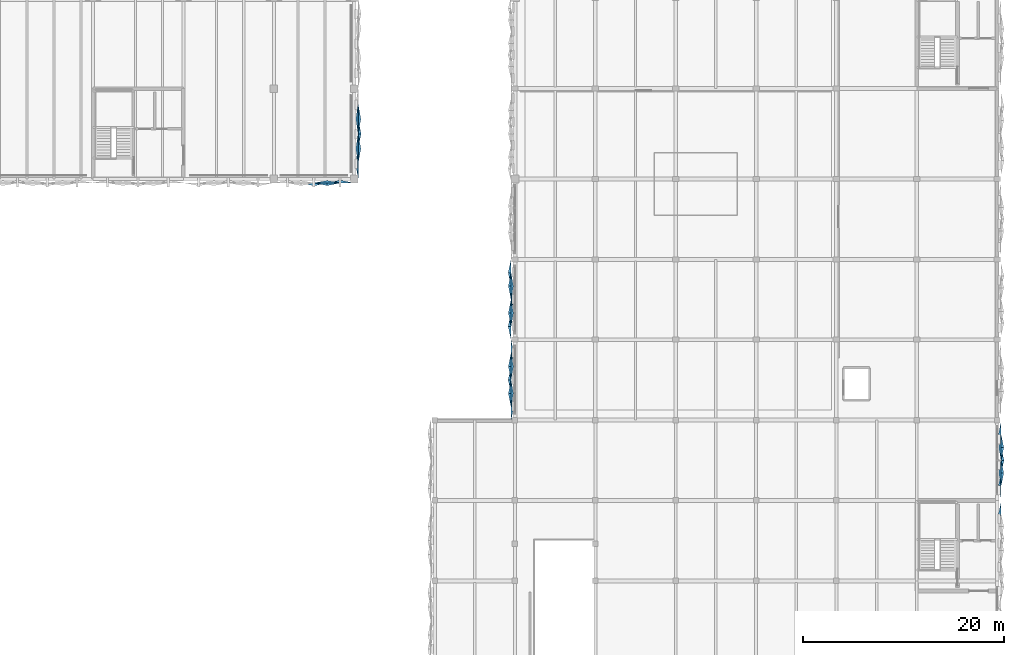
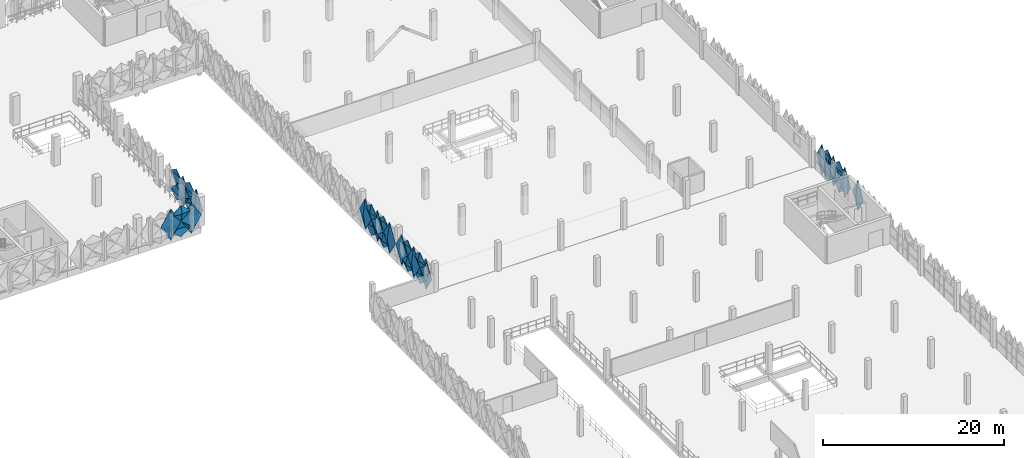
# One storey, part 62 of 83: 32 plates.
"""IFC4 building model written with IfcOpenShell, lengths in metres."""

import ifcopenshell
import ifcopenshell.guid

model = None  # the IFC model being written
_history = None  # IfcOwnerHistory: only IFC2X3 demands one
_inside = {}  # id of a spatial element -> (the spatial element, [elements in it])
_under = {}  # id of a project, library or spatial element -> (it, [spatial elements below it])
_declared = {}  # id of a project -> (the project, [libraries it declares])
_typed = {}  # id of a type object -> (the type object, [elements of that type])
_made_of = {}  # id of a material, layer set ... -> (it, [elements and type objects made of it])


def new_model(schema):
    """Start an empty IFC model of exactly this schema.

    Asked for "IFC4X3", IfcOpenShell would pick the latest addendum, in which some entities
    have other attributes; the version numbers below select the first issue.
    IFC2X3 requires an IfcOwnerHistory on every rooted entity: one is made here for all.
    """
    global model, _history
    if schema == "IFC4X3":
        model = ifcopenshell.file(schema_version=(4, 3, 0, 0))
    else:
        model = ifcopenshell.file(schema=schema)
    _inside.clear()
    _under.clear()
    _declared.clear()
    _typed.clear()
    _made_of.clear()
    _history = None
    if model.schema == "IFC2X3":
        org = make("IfcOrganization", Name="unknown")
        user = make(
            "IfcPersonAndOrganization",
            ThePerson=make("IfcPerson", FamilyName="unknown"),
            TheOrganization=org,
        )
        app = make(
            "IfcApplication",
            ApplicationDeveloper=org,
            Version="unknown",
            ApplicationFullName="unknown",
            ApplicationIdentifier="unknown",
        )
        _history = make(
            "IfcOwnerHistory",
            OwningUser=user,
            OwningApplication=app,
            ChangeAction="ADDED",
            CreationDate=0,
        )
    return model


def make(cls, **values):
    """One entity of the class cls with the attributes given. An attribute that is None is left unset."""
    return model.create_entity(
        cls, **{name: value for name, value in values.items() if value is not None}
    )


def rooted(cls, **values):
    """An entity with a GlobalId (a new one), such as an element, a storey or a relation."""
    return make(cls, GlobalId=ifcopenshell.guid.new(), OwnerHistory=_history, **values)


def si_unit(unit_type, name, prefix=None):
    """IfcSIUnit, for example si_unit("LENGTHUNIT", "METRE", prefix="MILLI")."""
    return make("IfcSIUnit", UnitType=unit_type, Prefix=prefix, Name=name)


def derived_unit(unit_type, elements):
    """IfcDerivedUnit: a product of units, each with its exponent."""
    return make(
        "IfcDerivedUnit",
        Elements=[
            make("IfcDerivedUnitElement", Unit=unit, Exponent=power)
            for unit, power in elements
        ],
        UnitType=unit_type,
    )


def assignment(units):
    """IfcUnitAssignment: the units of a project."""
    return None if units is None else make("IfcUnitAssignment", Units=units)


def point(xyz):
    """IfcCartesianPoint."""
    return None if xyz is None else make("IfcCartesianPoint", Coordinates=xyz)


def direction(xyz):
    """IfcDirection."""
    return None if xyz is None else make("IfcDirection", DirectionRatios=xyz)


def frame(location, z_axis=None, x_axis=None):
    """IfcAxis2Placement3D, a coordinate frame: its origin and axes. An axis left out is left unset."""
    return make(
        "IfcAxis2Placement3D",
        Location=point(location),
        Axis=direction(z_axis),
        RefDirection=direction(x_axis),
    )


def origin():
    """The frame at (0, 0, 0) with its axes left unset."""
    return frame((0.0, 0.0, 0.0))


def place(relative_to, where):
    """IfcLocalPlacement: puts the frame where relative to a parent placement (None: the world)."""
    return make(
        "IfcLocalPlacement", PlacementRelTo=relative_to, RelativePlacement=where
    )


def context(
    kind, dimensions, precision=None, world=None, true_north=None, identifier=None
):
    """IfcGeometricRepresentationContext, for example the 3D "Model" context."""
    return make(
        "IfcGeometricRepresentationContext",
        ContextIdentifier=identifier,
        ContextType=kind,
        CoordinateSpaceDimension=dimensions,
        Precision=precision,
        WorldCoordinateSystem=world,
        TrueNorth=true_north,
    )


def subcontext(parent, identifier, kind, view, scale=None):
    """IfcGeometricRepresentationSubContext, for example "Body" below "Model"."""
    return make(
        "IfcGeometricRepresentationSubContext",
        ContextIdentifier=identifier,
        ContextType=kind,
        ParentContext=parent,
        TargetScale=scale,
        TargetView=view,
    )


def project(units=None, contexts=None):
    """IfcProject with its units and contexts."""
    return rooted(
        "IfcProject",
        Name="project",
        RepresentationContexts=contexts,
        UnitsInContext=assignment(units),
    )


def spatial(cls, under=None, at=None, **own):
    """A site, building, storey or space (cls), placed at a placement, below another one or the project."""
    s = rooted(cls, ObjectPlacement=at, **own)
    if under is not None:
        _under.setdefault(under.id(), (under, []))[1].append(s)
    return s


def point_list(points):
    """IfcCartesianPointList2D or 3D."""
    cls = (
        "IfcCartesianPointList2D" if len(points[0]) == 2 else "IfcCartesianPointList3D"
    )
    return make(cls, CoordList=points)


def polygons(points, faces, closed=None, point_numbers=None):
    """IfcPolygonalFaceSet: a face is its outer loop, then its inner loops; points numbered from 1."""
    made = []
    for loops in faces:
        if len(loops) == 1:
            made.append(make("IfcIndexedPolygonalFace", CoordIndex=loops[0]))
        else:
            made.append(
                make(
                    "IfcIndexedPolygonalFaceWithVoids",
                    CoordIndex=loops[0],
                    InnerCoordIndices=loops[1:],
                )
            )
    return make(
        "IfcPolygonalFaceSet",
        Coordinates=point_list(points),
        Closed=closed,
        Faces=made,
        PnIndex=point_numbers,
    )


def shape(context_of_items, identifier, shape_type, items):
    """IfcShapeRepresentation: the items that make up one representation, for example the "Body"."""
    return make(
        "IfcShapeRepresentation",
        ContextOfItems=context_of_items,
        RepresentationIdentifier=identifier,
        RepresentationType=shape_type,
        Items=items,
    )


def material(Name=None, Category=None):
    """IfcMaterial."""
    return make("IfcMaterial", Name=Name, Category=Category)


def layer(
    of_material, thickness, ventilated=None, Name=None, Category=None, Priority=None
):
    """IfcMaterialLayer: one layer of a wall or slab, of a material (None: an air gap)."""
    return make(
        "IfcMaterialLayer",
        Material=of_material,
        LayerThickness=thickness,
        IsVentilated=ventilated,
        Name=Name,
        Category=Category,
        Priority=Priority,
    )


def layer_set(layers, Name=None):
    """IfcMaterialLayerSet."""
    return make("IfcMaterialLayerSet", MaterialLayers=layers, LayerSetName=Name)


def made_of(thing, what):
    """Note that an element or type object is made of a material, layer set ...; save() writes the relation."""
    if what is not None:
        _made_of.setdefault(what.id(), (what, []))[1].append(thing)
    return thing


def type_object(cls, material=None, **own):
    """A type object (cls), such as IfcWallType, which elements share."""
    return made_of(rooted(cls, **own), material)


def element(
    cls,
    number,
    at=None,
    inside=None,
    cuts=None,
    type_object=None,
    material=None,
    context=None,
    identifier="Body",
    shape_type=None,
    held_by="IfcProductDefinitionShape",
    body=None,
    shapes=None,
    **own,
):
    """One element of the class cls, such as IfcWall. Its Tag is "e" and its number.

    at: its placement. inside: the storey or other place that contains it. cuts: it is an
    opening in that element (IfcRelVoidsElement). A single representation is given by context,
    identifier, shape_type and body (its items); several are given by shapes. held_by: the class
    of the entity that holds the representations. save() writes the other relations.
    """
    e = rooted(cls, Tag="e%d" % number, ObjectPlacement=at, **own)
    if body is not None:
        shapes = [shape(context, identifier, shape_type, body)]
    if shapes is not None:
        e.Representation = make(held_by, Representations=shapes)
    if inside is not None:
        _inside.setdefault(inside.id(), (inside, []))[1].append(e)
    if cuts is not None:
        rooted(
            "IfcRelVoidsElement", RelatingBuildingElement=cuts, RelatedOpeningElement=e
        )
    if type_object is not None:
        _typed.setdefault(type_object.id(), (type_object, []))[1].append(e)
    return made_of(e, material)


def aggregate(whole, parts):
    """IfcRelAggregates: a whole, such as a stair, and the parts it consists of."""
    return rooted("IfcRelAggregates", RelatingObject=whole, RelatedObjects=parts)


def save(model, path):
    """Write the relations noted so far, then the file.

    IfcRelAggregates (storeys below a building ...), IfcRelContainedInSpatialStructure (elements
    in a storey), IfcRelDefinesByType, IfcRelAssociatesMaterial and IfcRelDeclares: one each for
    every whole, place, type object, material and project.
    """
    for whole, parts in _under.values():
        aggregate(whole, parts)
    for where, things in _inside.values():
        rooted(
            "IfcRelContainedInSpatialStructure",
            RelatedElements=things,
            RelatingStructure=where,
        )
    for kind, things in _typed.values():
        rooted("IfcRelDefinesByType", RelatedObjects=things, RelatingType=kind)
    for what, things in _made_of.values():
        rooted("IfcRelAssociatesMaterial", RelatedObjects=things, RelatingMaterial=what)
    for by, libraries in _declared.values():
        rooted("IfcRelDeclares", RelatingContext=by, RelatedDefinitions=libraries)
    model.write(path)


model = new_model("IFC4")

# Units and contexts
model_context = context("Model", 3, precision=1e-05, world=origin(), true_north=direction((0.0, 1.0)))
body_context = subcontext(model_context, "Body", "Model", "MODEL_VIEW")
ifc_project = project(units=[si_unit("LENGTHUNIT", "METRE"), si_unit("AREAUNIT", "SQUARE_METRE"), si_unit("VOLUMEUNIT", "CUBIC_METRE"), si_unit("PLANEANGLEUNIT", "RADIAN"), si_unit("MASSUNIT", "GRAM", prefix="KILO"), si_unit("THERMODYNAMICTEMPERATUREUNIT", "KELVIN"), derived_unit("THERMALTRANSMITTANCEUNIT", [(si_unit("POWERUNIT", "WATT"), 1), (si_unit("AREAUNIT", "SQUARE_METRE"), -1), (si_unit("THERMODYNAMICTEMPERATUREUNIT", "KELVIN"), -1)])], contexts=[model_context])

# Site, building, storey
site_placement = place(None, origin())
site = spatial("IfcSite", under=ifc_project, at=site_placement, CompositionType="ELEMENT")
building_placement = place(site_placement, origin())
building = spatial("IfcBuilding", under=site, at=building_placement, Name="Haiyu Intermodal Mobility Hub", CompositionType="ELEMENT")
storey_placement = place(building_placement, frame((0.0, 0.0, 13.39990234375)))
storey = spatial("IfcBuildingStorey", under=building, at=storey_placement, Name="L03", CompositionType="ELEMENT", Elevation=13.39990234375)

# Plates
ifc_material = material(Name="Anodised aluminium 6063-T6", Category="aluminium")
ifc_layer_1 = layer(ifc_material, 0.01806640625)
ifc_layer_set_1 = layer_set([ifc_layer_1], Name="Anodised aluminium 6063-T6")
plate_type_1 = type_object("IfcPlateType", Name="PLT-FC01", PredefinedType="USERDEFINED", material=ifc_layer_set_1)
plate_1_placement = place(storey_placement, origin())
element("IfcPlate", 1, at=plate_1_placement, inside=storey, type_object=plate_type_1, Name="PLT-PYR-0687", ObjectType="FACADE CASSETTE", PredefinedType="USERDEFINED", context=body_context, shape_type="Tessellation", body=[
    polygons([(146.39990234375, 108.5, -0.510009765625), (146.39990234375, 109.952880859375, 1.60009765625), (146.39990234375, 108.5, 3.710205078125), (146.39990234375, 107.047119140625, 1.60009765625), (146.679931640625, 108.5, 1.60009765625), (146.3779296875, 108.5, -0.510009765625), (146.3779296875, 109.952880859375, 1.60009765625), (146.3779296875, 108.5, 3.710205078125), (146.3779296875, 107.047119140625, 1.60009765625), (146.657958984375, 108.5, 1.60009765625)], [[[1, 2, 5]], [[2, 3, 5]], [[3, 4, 5]], [[4, 1, 5]], [[7, 6, 10]], [[8, 7, 10]], [[9, 8, 10]], [[6, 9, 10]], [[1, 6, 7, 2]], [[2, 7, 8, 3]], [[3, 8, 9, 4]], [[4, 9, 6, 1]]], closed=True),
])
plate_2_placement = place(storey_placement, origin())
element("IfcPlate", 2, at=plate_2_placement, inside=storey, type_object=plate_type_1, Name="PLT-PYR-0689", ObjectType="FACADE CASSETTE", PredefinedType="USERDEFINED", context=body_context, shape_type="Tessellation", body=[
    polygons([(146.39990234375, 109.972900390625, 1.6201171875), (146.39990234375, 111.427001953125, 2.670166015625), (146.39990234375, 109.972900390625, 3.72021484375), (146.39990234375, 108.52001953125, 2.670166015625), (146.659912109375, 109.972900390625, 2.670166015625), (146.3779296875, 109.972900390625, 1.6201171875), (146.3779296875, 111.427001953125, 2.670166015625), (146.3779296875, 109.972900390625, 3.72021484375), (146.3779296875, 108.52001953125, 2.670166015625), (146.637939453125, 109.972900390625, 2.670166015625)], [[[1, 2, 5]], [[2, 3, 5]], [[3, 4, 5]], [[4, 1, 5]], [[7, 6, 10]], [[8, 7, 10]], [[9, 8, 10]], [[6, 9, 10]], [[1, 6, 7, 2]], [[2, 7, 8, 3]], [[3, 8, 9, 4]], [[4, 9, 6, 1]]], closed=True),
])
plate_3_placement = place(storey_placement, origin())
element("IfcPlate", 3, at=plate_3_placement, inside=storey, type_object=plate_type_1, Name="PLT-PYR-0997", ObjectType="FACADE CASSETTE", PredefinedType="USERDEFINED", context=body_context, shape_type="Tessellation", body=[
    polygons([(142.0, 103.60009765625, -0.510009765625), (143.287109375, 103.60009765625, 1.60009765625), (142.0, 103.60009765625, 3.710205078125), (140.712890625, 103.60009765625, 1.60009765625), (142.0, 103.320068359375, 1.60009765625), (142.0, 103.6220703125, -0.510009765625), (143.287109375, 103.6220703125, 1.60009765625), (142.0, 103.6220703125, 3.710205078125), (140.712890625, 103.6220703125, 1.60009765625), (142.0, 103.342041015625, 1.60009765625)], [[[1, 2, 5]], [[2, 3, 5]], [[3, 4, 5]], [[4, 1, 5]], [[7, 6, 10]], [[8, 7, 10]], [[9, 8, 10]], [[6, 9, 10]], [[1, 6, 7, 2]], [[2, 7, 8, 3]], [[3, 8, 9, 4]], [[4, 9, 6, 1]]], closed=True),
])
plate_4_placement = place(storey_placement, origin())
element("IfcPlate", 4, at=plate_4_placement, inside=storey, type_object=plate_type_1, Name="PLT-PYR-0999", ObjectType="FACADE CASSETTE", PredefinedType="USERDEFINED", context=body_context, shape_type="Tessellation", body=[
    polygons([(143.306884765625, 103.60009765625, 1.6201171875), (144.593017578125, 103.60009765625, 2.670166015625), (143.306884765625, 103.60009765625, 3.72021484375), (142.02001953125, 103.60009765625, 2.670166015625), (143.306884765625, 103.340087890625, 2.670166015625), (143.306884765625, 103.6220703125, 1.6201171875), (144.593017578125, 103.6220703125, 2.670166015625), (143.306884765625, 103.6220703125, 3.72021484375), (142.02001953125, 103.6220703125, 2.670166015625), (143.306884765625, 103.362060546875, 2.670166015625)], [[[1, 2, 5]], [[2, 3, 5]], [[3, 4, 5]], [[4, 1, 5]], [[7, 6, 10]], [[8, 7, 10]], [[9, 8, 10]], [[6, 9, 10]], [[1, 6, 7, 2]], [[2, 7, 8, 3]], [[3, 8, 9, 4]], [[4, 9, 6, 1]]], closed=True),
])
plate_5_placement = place(storey_placement, origin())
element("IfcPlate", 5, at=plate_5_placement, inside=storey, type_object=plate_type_1, Name="PLT-PYR-1820", ObjectType="FACADE CASSETTE", PredefinedType="USERDEFINED", context=body_context, shape_type="Tessellation", body=[
    polygons([(210.39990234375, 76.0, -0.510009765625), (210.39990234375, 77.2470703125, 1.60009765625), (210.39990234375, 76.0, 3.710205078125), (210.39990234375, 74.7529296875, 1.60009765625), (210.679931640625, 76.0, 1.60009765625), (210.3779296875, 76.0, -0.510009765625), (210.3779296875, 77.2470703125, 1.60009765625), (210.3779296875, 76.0, 3.710205078125), (210.3779296875, 74.7529296875, 1.60009765625), (210.657958984375, 76.0, 1.60009765625)], [[[1, 2, 5]], [[2, 3, 5]], [[3, 4, 5]], [[4, 1, 5]], [[7, 6, 10]], [[8, 7, 10]], [[9, 8, 10]], [[6, 9, 10]], [[1, 6, 7, 2]], [[2, 7, 8, 3]], [[3, 8, 9, 4]], [[4, 9, 6, 1]]], closed=True),
])
plate_6_placement = place(storey_placement, origin())
element("IfcPlate", 6, at=plate_6_placement, inside=storey, type_object=plate_type_1, Name="PLT-PYR-1822", ObjectType="FACADE CASSETTE", PredefinedType="USERDEFINED", context=body_context, shape_type="Tessellation", body=[
    polygons([(210.39990234375, 77.26708984375, 1.6201171875), (210.39990234375, 78.512939453125, 2.670166015625), (210.39990234375, 77.26708984375, 3.72021484375), (210.39990234375, 76.02001953125, 2.670166015625), (210.659912109375, 77.26708984375, 2.670166015625), (210.3779296875, 77.26708984375, 1.6201171875), (210.3779296875, 78.512939453125, 2.670166015625), (210.3779296875, 77.26708984375, 3.72021484375), (210.3779296875, 76.02001953125, 2.670166015625), (210.637939453125, 77.26708984375, 2.670166015625)], [[[1, 2, 5]], [[2, 3, 5]], [[3, 4, 5]], [[4, 1, 5]], [[7, 6, 10]], [[8, 7, 10]], [[9, 8, 10]], [[6, 9, 10]], [[1, 6, 7, 2]], [[2, 7, 8, 3]], [[3, 8, 9, 4]], [[4, 9, 6, 1]]], closed=True),
])
plate_7_placement = place(storey_placement, origin())
element("IfcPlate", 7, at=plate_7_placement, inside=storey, type_object=plate_type_1, Name="PLT-PYR-2130", ObjectType="FACADE CASSETTE", PredefinedType="USERDEFINED", context=body_context, shape_type="Tessellation", body=[
    polygons([(161.60009765625, 84.0, -0.510009765625), (161.60009765625, 82.68701171875, 1.60009765625), (161.60009765625, 84.0, 3.710205078125), (161.60009765625, 85.31298828125, 1.60009765625), (161.320068359375, 84.0, 1.60009765625), (161.6220703125, 84.0, -0.510009765625), (161.6220703125, 82.68701171875, 1.60009765625), (161.6220703125, 84.0, 3.710205078125), (161.6220703125, 85.31298828125, 1.60009765625), (161.342041015625, 84.0, 1.60009765625)], [[[1, 2, 5]], [[2, 3, 5]], [[3, 4, 5]], [[4, 1, 5]], [[7, 6, 10]], [[8, 7, 10]], [[9, 8, 10]], [[6, 9, 10]], [[1, 6, 7, 2]], [[2, 7, 8, 3]], [[3, 8, 9, 4]], [[4, 9, 6, 1]]], closed=True),
])
plate_8_placement = place(storey_placement, origin())
element("IfcPlate", 8, at=plate_8_placement, inside=storey, type_object=plate_type_1, Name="PLT-PYR-2132", ObjectType="FACADE CASSETTE", PredefinedType="USERDEFINED", context=body_context, shape_type="Tessellation", body=[
    polygons([(161.60009765625, 82.6669921875, 1.6201171875), (161.60009765625, 81.35302734375, 2.670166015625), (161.60009765625, 82.6669921875, 3.72021484375), (161.60009765625, 83.97998046875, 2.670166015625), (161.340087890625, 82.6669921875, 2.670166015625), (161.6220703125, 82.6669921875, 1.6201171875), (161.6220703125, 81.35302734375, 2.670166015625), (161.6220703125, 82.6669921875, 3.72021484375), (161.6220703125, 83.97998046875, 2.670166015625), (161.362060546875, 82.6669921875, 2.670166015625)], [[[1, 2, 5]], [[2, 3, 5]], [[3, 4, 5]], [[4, 1, 5]], [[7, 6, 10]], [[8, 7, 10]], [[9, 8, 10]], [[6, 9, 10]], [[1, 6, 7, 2]], [[2, 7, 8, 3]], [[3, 8, 9, 4]], [[4, 9, 6, 1]]], closed=True),
])
plate_9_placement = place(storey_placement, origin())
element("IfcPlate", 9, at=plate_9_placement, inside=storey, type_object=plate_type_1, Name="PLT-PYR-2136", ObjectType="FACADE CASSETTE", PredefinedType="USERDEFINED", context=body_context, shape_type="Tessellation", body=[
    polygons([(161.60009765625, 93.3330078125, 1.6201171875), (161.60009765625, 92.02001953125, 2.670166015625), (161.60009765625, 93.3330078125, 3.72021484375), (161.60009765625, 94.64697265625, 2.670166015625), (161.340087890625, 93.3330078125, 2.670166015625), (161.6220703125, 93.3330078125, 1.6201171875), (161.6220703125, 92.02001953125, 2.670166015625), (161.6220703125, 93.3330078125, 3.72021484375), (161.6220703125, 94.64697265625, 2.670166015625), (161.362060546875, 93.3330078125, 2.670166015625)], [[[1, 2, 5]], [[2, 3, 5]], [[3, 4, 5]], [[4, 1, 5]], [[7, 6, 10]], [[8, 7, 10]], [[9, 8, 10]], [[6, 9, 10]], [[1, 6, 7, 2]], [[2, 7, 8, 3]], [[3, 8, 9, 4]], [[4, 9, 6, 1]]], closed=True),
])
ifc_layer_2 = layer(ifc_material, 0.02001953125)
ifc_layer_set_2 = layer_set([ifc_layer_2], Name="Anodised aluminium 6063-T6")
plate_type_2 = type_object("IfcPlateType", Name="PLT-FC02", PredefinedType="USERDEFINED", material=ifc_layer_set_2)
plate_10_placement = place(storey_placement, origin())
element("IfcPlate", 10, at=plate_10_placement, inside=storey, type_object=plate_type_2, Name="PLT-PYR-0686", ObjectType="FACADE CASSETTE", PredefinedType="USERDEFINED", context=body_context, shape_type="Tessellation", body=[
    polygons([(146.39990234375, 107.027099609375, 1.6201171875), (146.39990234375, 108.47998046875, 2.670166015625), (146.39990234375, 107.027099609375, 3.72021484375), (146.39990234375, 105.572998046875, 2.670166015625), (146.179931640625, 107.027099609375, 2.670166015625), (146.3779296875, 107.027099609375, 1.6201171875), (146.3779296875, 108.47998046875, 2.670166015625), (146.3779296875, 107.027099609375, 3.72021484375), (146.3779296875, 105.572998046875, 2.670166015625), (146.157958984375, 107.027099609375, 2.670166015625)], [[[1, 2, 5]], [[2, 3, 5]], [[3, 4, 5]], [[4, 1, 5]], [[7, 6, 10]], [[8, 7, 10]], [[9, 8, 10]], [[6, 9, 10]], [[1, 6, 7, 2]], [[2, 7, 8, 3]], [[3, 8, 9, 4]], [[4, 9, 6, 1]]], closed=True),
])
plate_11_placement = place(storey_placement, origin())
element("IfcPlate", 11, at=plate_11_placement, inside=storey, type_object=plate_type_2, Name="PLT-PYR-1819", ObjectType="FACADE CASSETTE", PredefinedType="USERDEFINED", context=body_context, shape_type="Tessellation", body=[
    polygons([(210.39990234375, 74.73291015625, 1.6201171875), (210.39990234375, 75.97998046875, 2.670166015625), (210.39990234375, 74.73291015625, 3.72021484375), (210.39990234375, 73.487060546875, 2.670166015625), (210.179931640625, 74.73291015625, 2.670166015625), (210.3779296875, 74.73291015625, 1.6201171875), (210.3779296875, 75.97998046875, 2.670166015625), (210.3779296875, 74.73291015625, 3.72021484375), (210.3779296875, 73.487060546875, 2.670166015625), (210.157958984375, 74.73291015625, 2.670166015625)], [[[1, 2, 5]], [[2, 3, 5]], [[3, 4, 5]], [[4, 1, 5]], [[7, 6, 10]], [[8, 7, 10]], [[9, 8, 10]], [[6, 9, 10]], [[1, 6, 7, 2]], [[2, 7, 8, 3]], [[3, 8, 9, 4]], [[4, 9, 6, 1]]], closed=True),
])
plate_12_placement = place(storey_placement, origin())
element("IfcPlate", 12, at=plate_12_placement, inside=storey, type_object=plate_type_2, Name="PLT-PYR-2129", ObjectType="FACADE CASSETTE", PredefinedType="USERDEFINED", context=body_context, shape_type="Tessellation", body=[
    polygons([(161.60009765625, 85.3330078125, 1.6201171875), (161.60009765625, 84.02001953125, 2.670166015625), (161.60009765625, 85.3330078125, 3.72021484375), (161.60009765625, 86.64697265625, 2.670166015625), (161.820068359375, 85.3330078125, 2.670166015625), (161.6220703125, 85.3330078125, 1.6201171875), (161.6220703125, 84.02001953125, 2.670166015625), (161.6220703125, 85.3330078125, 3.72021484375), (161.6220703125, 86.64697265625, 2.670166015625), (161.842041015625, 85.3330078125, 2.670166015625)], [[[1, 2, 5]], [[2, 3, 5]], [[3, 4, 5]], [[4, 1, 5]], [[7, 6, 10]], [[8, 7, 10]], [[9, 8, 10]], [[6, 9, 10]], [[1, 6, 7, 2]], [[2, 7, 8, 3]], [[3, 8, 9, 4]], [[4, 9, 6, 1]]], closed=True),
])
plate_13_placement = place(storey_placement, origin())
element("IfcPlate", 13, at=plate_13_placement, inside=storey, type_object=plate_type_2, Name="PLT-PYR-2137", ObjectType="FACADE CASSETTE", PredefinedType="USERDEFINED", context=body_context, shape_type="Tessellation", body=[
    polygons([(161.60009765625, 92.0, -0.510009765625), (161.60009765625, 90.68701171875, 1.60009765625), (161.60009765625, 92.0, 3.710205078125), (161.60009765625, 93.31298828125, 1.60009765625), (161.860107421875, 92.0, 1.60009765625), (161.6220703125, 92.0, -0.510009765625), (161.6220703125, 90.68701171875, 1.60009765625), (161.6220703125, 92.0, 3.710205078125), (161.6220703125, 93.31298828125, 1.60009765625), (161.882080078125, 92.0, 1.60009765625)], [[[1, 2, 5]], [[2, 3, 5]], [[3, 4, 5]], [[4, 1, 5]], [[7, 6, 10]], [[8, 7, 10]], [[9, 8, 10]], [[6, 9, 10]], [[1, 6, 7, 2]], [[2, 7, 8, 3]], [[3, 8, 9, 4]], [[4, 9, 6, 1]]], closed=True),
])
plate_14_placement = place(storey_placement, origin())
element("IfcPlate", 14, at=plate_14_placement, inside=storey, type_object=plate_type_2, Name="PLT-PYR-2139", ObjectType="FACADE CASSETTE", PredefinedType="USERDEFINED", context=body_context, shape_type="Tessellation", body=[
    polygons([(161.60009765625, 90.6669921875, 1.6201171875), (161.60009765625, 89.35302734375, 2.670166015625), (161.60009765625, 90.6669921875, 3.72021484375), (161.60009765625, 91.97998046875, 2.670166015625), (161.820068359375, 90.6669921875, 2.670166015625), (161.6220703125, 90.6669921875, 1.6201171875), (161.6220703125, 89.35302734375, 2.670166015625), (161.6220703125, 90.6669921875, 3.72021484375), (161.6220703125, 91.97998046875, 2.670166015625), (161.842041015625, 90.6669921875, 2.670166015625)], [[[1, 2, 5]], [[2, 3, 5]], [[3, 4, 5]], [[4, 1, 5]], [[7, 6, 10]], [[8, 7, 10]], [[9, 8, 10]], [[6, 9, 10]], [[1, 6, 7, 2]], [[2, 7, 8, 3]], [[3, 8, 9, 4]], [[4, 9, 6, 1]]], closed=True),
])
ifc_layer_3 = layer(ifc_material, 0.01806640625)
ifc_layer_set_3 = layer_set([ifc_layer_3], Name="Anodised aluminium 6063-T6")
plate_type_3 = type_object("IfcPlateType", Name="PLT-FC03", PredefinedType="USERDEFINED", material=ifc_layer_set_3)
plate_15_placement = place(storey_placement, origin())
element("IfcPlate", 15, at=plate_15_placement, inside=storey, type_object=plate_type_3, Name="PLT-PYR-2140", ObjectType="FACADE CASSETTE", PredefinedType="USERDEFINED", context=body_context, shape_type="Tessellation", body=[
    polygons([(161.60009765625, 89.3330078125, -0.510009765625), (161.60009765625, 88.02001953125, 1.60009765625), (161.60009765625, 89.3330078125, 3.710205078125), (161.60009765625, 90.64697265625, 1.60009765625), (161.320068359375, 89.3330078125, 1.60009765625), (161.6220703125, 89.3330078125, -0.510009765625), (161.6220703125, 88.02001953125, 1.60009765625), (161.6220703125, 89.3330078125, 3.710205078125), (161.6220703125, 90.64697265625, 1.60009765625), (161.342041015625, 89.3330078125, 1.60009765625)], [[[1, 2, 5]], [[2, 3, 5]], [[3, 4, 5]], [[4, 1, 5]], [[7, 6, 10]], [[8, 7, 10]], [[9, 8, 10]], [[6, 9, 10]], [[1, 6, 7, 2]], [[2, 7, 8, 3]], [[3, 8, 9, 4]], [[4, 9, 6, 1]]], closed=True),
])
ifc_layer_4 = layer(ifc_material, 0.02001953125)
ifc_layer_set_4 = layer_set([ifc_layer_4], Name="Anodised aluminium 6063-T6")
plate_type_4 = type_object("IfcPlateType", Name="PLT-FC04", PredefinedType="USERDEFINED", material=ifc_layer_set_4)
plate_16_placement = place(storey_placement, origin())
element("IfcPlate", 16, at=plate_16_placement, inside=storey, type_object=plate_type_4, Name="PLT-PYR-1000", ObjectType="FACADE CASSETTE", PredefinedType="USERDEFINED", context=body_context, shape_type="Tessellation", body=[
    polygons([(144.613037109375, 103.60009765625, -0.510009765625), (145.89990234375, 103.60009765625, 1.60009765625), (144.613037109375, 103.60009765625, 3.710205078125), (143.326904296875, 103.60009765625, 1.60009765625), (144.613037109375, 103.860107421875, 1.60009765625), (144.613037109375, 103.6220703125, -0.510009765625), (145.89990234375, 103.6220703125, 1.60009765625), (144.613037109375, 103.6220703125, 3.710205078125), (143.326904296875, 103.6220703125, 1.60009765625), (144.613037109375, 103.882080078125, 1.60009765625)], [[[1, 2, 5]], [[2, 3, 5]], [[3, 4, 5]], [[4, 1, 5]], [[7, 6, 10]], [[8, 7, 10]], [[9, 8, 10]], [[6, 9, 10]], [[1, 6, 7, 2]], [[2, 7, 8, 3]], [[3, 8, 9, 4]], [[4, 9, 6, 1]]], closed=True),
])
plate_17_placement = place(storey_placement, origin())
element("IfcPlate", 17, at=plate_17_placement, inside=storey, type_object=plate_type_4, Name="PLT-PYR-1823", ObjectType="FACADE CASSETTE", PredefinedType="USERDEFINED", context=body_context, shape_type="Tessellation", body=[
    polygons([(210.39990234375, 78.532958984375, -0.510009765625), (210.39990234375, 79.780029296875, 1.60009765625), (210.39990234375, 78.532958984375, 3.710205078125), (210.39990234375, 77.287109375, 1.60009765625), (210.139892578125, 78.532958984375, 1.60009765625), (210.3779296875, 78.532958984375, -0.510009765625), (210.3779296875, 79.780029296875, 1.60009765625), (210.3779296875, 78.532958984375, 3.710205078125), (210.3779296875, 77.287109375, 1.60009765625), (210.117919921875, 78.532958984375, 1.60009765625)], [[[1, 2, 5]], [[2, 3, 5]], [[3, 4, 5]], [[4, 1, 5]], [[7, 6, 10]], [[8, 7, 10]], [[9, 8, 10]], [[6, 9, 10]], [[1, 6, 7, 2]], [[2, 7, 8, 3]], [[3, 8, 9, 4]], [[4, 9, 6, 1]]], closed=True),
])
plate_18_placement = place(storey_placement, origin())
element("IfcPlate", 18, at=plate_18_placement, inside=storey, type_object=plate_type_4, Name="PLT-PYR-2133", ObjectType="FACADE CASSETTE", PredefinedType="USERDEFINED", context=body_context, shape_type="Tessellation", body=[
    polygons([(161.60009765625, 81.3330078125, -0.510009765625), (161.60009765625, 80.02001953125, 1.60009765625), (161.60009765625, 81.3330078125, 3.710205078125), (161.60009765625, 82.64697265625, 1.60009765625), (161.860107421875, 81.3330078125, 1.60009765625), (161.6220703125, 81.3330078125, -0.510009765625), (161.6220703125, 80.02001953125, 1.60009765625), (161.6220703125, 81.3330078125, 3.710205078125), (161.6220703125, 82.64697265625, 1.60009765625), (161.882080078125, 81.3330078125, 1.60009765625)], [[[1, 2, 5]], [[2, 3, 5]], [[3, 4, 5]], [[4, 1, 5]], [[7, 6, 10]], [[8, 7, 10]], [[9, 8, 10]], [[6, 9, 10]], [[1, 6, 7, 2]], [[2, 7, 8, 3]], [[3, 8, 9, 4]], [[4, 9, 6, 1]]], closed=True),
])
ifc_layer_5 = layer(ifc_material, 0.02001953125)
ifc_layer_set_5 = layer_set([ifc_layer_5], Name="Anodised aluminium 6063-T6")
plate_type_5 = type_object("IfcPlateType", Name="PLT-FC06", PredefinedType="USERDEFINED", material=ifc_layer_set_5)
plate_19_placement = place(storey_placement, origin())
element("IfcPlate", 19, at=plate_19_placement, inside=storey, type_object=plate_type_5, Name="PLT-PYR-1387", ObjectType="FACADE CASSETTE", PredefinedType="USERDEFINED", context=body_context, shape_type="Tessellation", body=[
    polygons([(210.39990234375, 70.60009765625, -0.510009765625), (210.39990234375, 71.780029296875, 1.60009765625), (210.39990234375, 70.60009765625, 3.710205078125), (210.39990234375, 69.419921875, 1.60009765625), (210.139892578125, 70.60009765625, 1.60009765625), (210.3779296875, 70.60009765625, -0.510009765625), (210.3779296875, 71.780029296875, 1.60009765625), (210.3779296875, 70.60009765625, 3.710205078125), (210.3779296875, 69.419921875, 1.60009765625), (210.117919921875, 70.60009765625, 1.60009765625)], [[[1, 2, 5]], [[2, 3, 5]], [[3, 4, 5]], [[4, 1, 5]], [[7, 6, 10]], [[8, 7, 10]], [[9, 8, 10]], [[6, 9, 10]], [[1, 6, 7, 2]], [[2, 7, 8, 3]], [[3, 8, 9, 4]], [[4, 9, 6, 1]]], closed=True),
])
ifc_layer_6 = layer(ifc_material, 0.02197265625)
ifc_layer_set_6 = layer_set([ifc_layer_6], Name="Anodised aluminium 6063-T6")
plate_type_6 = type_object("IfcPlateType", Name="PLT-FC07", PredefinedType="USERDEFINED", material=ifc_layer_set_6)
plate_20_placement = place(storey_placement, origin())
element("IfcPlate", 20, at=plate_20_placement, inside=storey, type_object=plate_type_6, Name="PLT-PYR-0685", ObjectType="FACADE CASSETTE", PredefinedType="USERDEFINED", context=body_context, shape_type="Tessellation", body=[
    polygons([(146.39990234375, 107.027099609375, -0.52001953125), (146.39990234375, 108.47998046875, 0.530029296875), (146.39990234375, 107.027099609375, 1.580078125), (146.39990234375, 105.572998046875, 0.530029296875), (146.659912109375, 107.027099609375, 0.530029296875), (146.3779296875, 107.027099609375, -0.52001953125), (146.3779296875, 108.47998046875, 0.530029296875), (146.3779296875, 107.027099609375, 1.580078125), (146.3779296875, 105.572998046875, 0.530029296875), (146.637939453125, 107.027099609375, 0.530029296875)], [[[1, 2, 5]], [[2, 3, 5]], [[3, 4, 5]], [[4, 1, 5]], [[7, 6, 10]], [[8, 7, 10]], [[9, 8, 10]], [[6, 9, 10]], [[1, 6, 7, 2]], [[2, 7, 8, 3]], [[3, 8, 9, 4]], [[4, 9, 6, 1]]], closed=True),
])
plate_21_placement = place(storey_placement, origin())
element("IfcPlate", 21, at=plate_21_placement, inside=storey, type_object=plate_type_6, Name="PLT-PYR-1818", ObjectType="FACADE CASSETTE", PredefinedType="USERDEFINED", context=body_context, shape_type="Tessellation", body=[
    polygons([(210.39990234375, 74.73291015625, -0.52001953125), (210.39990234375, 75.97998046875, 0.530029296875), (210.39990234375, 74.73291015625, 1.580078125), (210.39990234375, 73.487060546875, 0.530029296875), (210.659912109375, 74.73291015625, 0.530029296875), (210.3779296875, 74.73291015625, -0.52001953125), (210.3779296875, 75.97998046875, 0.530029296875), (210.3779296875, 74.73291015625, 1.580078125), (210.3779296875, 73.487060546875, 0.530029296875), (210.637939453125, 74.73291015625, 0.530029296875)], [[[1, 2, 5]], [[2, 3, 5]], [[3, 4, 5]], [[4, 1, 5]], [[7, 6, 10]], [[8, 7, 10]], [[9, 8, 10]], [[6, 9, 10]], [[1, 6, 7, 2]], [[2, 7, 8, 3]], [[3, 8, 9, 4]], [[4, 9, 6, 1]]], closed=True),
])
plate_22_placement = place(storey_placement, origin())
element("IfcPlate", 22, at=plate_22_placement, inside=storey, type_object=plate_type_6, Name="PLT-PYR-2128", ObjectType="FACADE CASSETTE", PredefinedType="USERDEFINED", context=body_context, shape_type="Tessellation", body=[
    polygons([(161.60009765625, 85.3330078125, -0.52001953125), (161.60009765625, 84.02001953125, 0.530029296875), (161.60009765625, 85.3330078125, 1.580078125), (161.60009765625, 86.64697265625, 0.530029296875), (161.340087890625, 85.3330078125, 0.530029296875), (161.6220703125, 85.3330078125, -0.52001953125), (161.6220703125, 84.02001953125, 0.530029296875), (161.6220703125, 85.3330078125, 1.580078125), (161.6220703125, 86.64697265625, 0.530029296875), (161.362060546875, 85.3330078125, 0.530029296875)], [[[1, 2, 5]], [[2, 3, 5]], [[3, 4, 5]], [[4, 1, 5]], [[7, 6, 10]], [[8, 7, 10]], [[9, 8, 10]], [[6, 9, 10]], [[1, 6, 7, 2]], [[2, 7, 8, 3]], [[3, 8, 9, 4]], [[4, 9, 6, 1]]], closed=True),
])
plate_23_placement = place(storey_placement, origin())
element("IfcPlate", 23, at=plate_23_placement, inside=storey, type_object=plate_type_6, Name="PLT-PYR-2134", ObjectType="FACADE CASSETTE", PredefinedType="USERDEFINED", context=body_context, shape_type="Tessellation", body=[
    polygons([(161.60009765625, 94.6669921875, -0.510009765625), (161.60009765625, 93.35302734375, 1.60009765625), (161.60009765625, 94.6669921875, 3.710205078125), (161.60009765625, 95.97998046875, 1.60009765625), (161.320068359375, 94.6669921875, 1.60009765625), (161.6220703125, 94.6669921875, -0.510009765625), (161.6220703125, 93.35302734375, 1.60009765625), (161.6220703125, 94.6669921875, 3.710205078125), (161.6220703125, 95.97998046875, 1.60009765625), (161.342041015625, 94.6669921875, 1.60009765625)], [[[1, 2, 5]], [[2, 3, 5]], [[3, 4, 5]], [[4, 1, 5]], [[7, 6, 10]], [[8, 7, 10]], [[9, 8, 10]], [[6, 9, 10]], [[1, 6, 7, 2]], [[2, 7, 8, 3]], [[3, 8, 9, 4]], [[4, 9, 6, 1]]], closed=True),
])
plate_24_placement = place(storey_placement, origin())
element("IfcPlate", 24, at=plate_24_placement, inside=storey, type_object=plate_type_6, Name="PLT-PYR-2138", ObjectType="FACADE CASSETTE", PredefinedType="USERDEFINED", context=body_context, shape_type="Tessellation", body=[
    polygons([(161.60009765625, 90.6669921875, -0.52001953125), (161.60009765625, 89.35302734375, 0.530029296875), (161.60009765625, 90.6669921875, 1.580078125), (161.60009765625, 91.97998046875, 0.530029296875), (161.340087890625, 90.6669921875, 0.530029296875), (161.6220703125, 90.6669921875, -0.52001953125), (161.6220703125, 89.35302734375, 0.530029296875), (161.6220703125, 90.6669921875, 1.580078125), (161.6220703125, 91.97998046875, 0.530029296875), (161.362060546875, 90.6669921875, 0.530029296875)], [[[1, 2, 5]], [[2, 3, 5]], [[3, 4, 5]], [[4, 1, 5]], [[7, 6, 10]], [[8, 7, 10]], [[9, 8, 10]], [[6, 9, 10]], [[1, 6, 7, 2]], [[2, 7, 8, 3]], [[3, 8, 9, 4]], [[4, 9, 6, 1]]], closed=True),
])
ifc_layer_7 = layer(ifc_material, 0.02392578125)
ifc_layer_set_7 = layer_set([ifc_layer_7], Name="Anodised aluminium 6063-T6")
plate_type_7 = type_object("IfcPlateType", Name="PLT-FC08", PredefinedType="USERDEFINED", material=ifc_layer_set_7)
plate_25_placement = place(storey_placement, origin())
element("IfcPlate", 25, at=plate_25_placement, inside=storey, type_object=plate_type_7, Name="PLT-PYR-0684", ObjectType="FACADE CASSETTE", PredefinedType="USERDEFINED", context=body_context, shape_type="Tessellation", body=[
    polygons([(146.39990234375, 105.552978515625, -0.510009765625), (146.39990234375, 107.007080078125, 1.60009765625), (146.39990234375, 105.552978515625, 3.710205078125), (146.39990234375, 104.10009765625, 1.60009765625), (146.139892578125, 105.552978515625, 1.60009765625), (146.3779296875, 105.552978515625, -0.510009765625), (146.3779296875, 107.007080078125, 1.60009765625), (146.3779296875, 105.552978515625, 3.710205078125), (146.3779296875, 104.10009765625, 1.60009765625), (146.117919921875, 105.552978515625, 1.60009765625)], [[[1, 2, 5]], [[2, 3, 5]], [[3, 4, 5]], [[4, 1, 5]], [[7, 6, 10]], [[8, 7, 10]], [[9, 8, 10]], [[6, 9, 10]], [[1, 6, 7, 2]], [[2, 7, 8, 3]], [[3, 8, 9, 4]], [[4, 9, 6, 1]]], closed=True),
])
plate_26_placement = place(storey_placement, origin())
element("IfcPlate", 26, at=plate_26_placement, inside=storey, type_object=plate_type_7, Name="PLT-PYR-0688", ObjectType="FACADE CASSETTE", PredefinedType="USERDEFINED", context=body_context, shape_type="Tessellation", body=[
    polygons([(146.39990234375, 109.972900390625, -0.52001953125), (146.39990234375, 111.427001953125, 0.530029296875), (146.39990234375, 109.972900390625, 1.580078125), (146.39990234375, 108.52001953125, 0.530029296875), (146.179931640625, 109.972900390625, 0.530029296875), (146.3779296875, 109.972900390625, -0.52001953125), (146.3779296875, 111.427001953125, 0.530029296875), (146.3779296875, 109.972900390625, 1.580078125), (146.3779296875, 108.52001953125, 0.530029296875), (146.157958984375, 109.972900390625, 0.530029296875)], [[[1, 2, 5]], [[2, 3, 5]], [[3, 4, 5]], [[4, 1, 5]], [[7, 6, 10]], [[8, 7, 10]], [[9, 8, 10]], [[6, 9, 10]], [[1, 6, 7, 2]], [[2, 7, 8, 3]], [[3, 8, 9, 4]], [[4, 9, 6, 1]]], closed=True),
])
plate_27_placement = place(storey_placement, origin())
element("IfcPlate", 27, at=plate_27_placement, inside=storey, type_object=plate_type_7, Name="PLT-PYR-0998", ObjectType="FACADE CASSETTE", PredefinedType="USERDEFINED", context=body_context, shape_type="Tessellation", body=[
    polygons([(143.306884765625, 103.60009765625, -0.52001953125), (144.593017578125, 103.60009765625, 0.530029296875), (143.306884765625, 103.60009765625, 1.580078125), (142.02001953125, 103.60009765625, 0.530029296875), (143.306884765625, 103.820068359375, 0.530029296875), (143.306884765625, 103.6220703125, -0.52001953125), (144.593017578125, 103.6220703125, 0.530029296875), (143.306884765625, 103.6220703125, 1.580078125), (142.02001953125, 103.6220703125, 0.530029296875), (143.306884765625, 103.842041015625, 0.530029296875)], [[[1, 2, 5]], [[2, 3, 5]], [[3, 4, 5]], [[4, 1, 5]], [[7, 6, 10]], [[8, 7, 10]], [[9, 8, 10]], [[6, 9, 10]], [[1, 6, 7, 2]], [[2, 7, 8, 3]], [[3, 8, 9, 4]], [[4, 9, 6, 1]]], closed=True),
])
plate_28_placement = place(storey_placement, origin())
element("IfcPlate", 28, at=plate_28_placement, inside=storey, type_object=plate_type_7, Name="PLT-PYR-1817", ObjectType="FACADE CASSETTE", PredefinedType="USERDEFINED", context=body_context, shape_type="Tessellation", body=[
    polygons([(210.39990234375, 73.467041015625, -0.510009765625), (210.39990234375, 74.712890625, 1.60009765625), (210.39990234375, 73.467041015625, 3.710205078125), (210.39990234375, 72.219970703125, 1.60009765625), (210.139892578125, 73.467041015625, 1.60009765625), (210.3779296875, 73.467041015625, -0.510009765625), (210.3779296875, 74.712890625, 1.60009765625), (210.3779296875, 73.467041015625, 3.710205078125), (210.3779296875, 72.219970703125, 1.60009765625), (210.117919921875, 73.467041015625, 1.60009765625)], [[[1, 2, 5]], [[2, 3, 5]], [[3, 4, 5]], [[4, 1, 5]], [[7, 6, 10]], [[8, 7, 10]], [[9, 8, 10]], [[6, 9, 10]], [[1, 6, 7, 2]], [[2, 7, 8, 3]], [[3, 8, 9, 4]], [[4, 9, 6, 1]]], closed=True),
])
plate_29_placement = place(storey_placement, origin())
element("IfcPlate", 29, at=plate_29_placement, inside=storey, type_object=plate_type_7, Name="PLT-PYR-1821", ObjectType="FACADE CASSETTE", PredefinedType="USERDEFINED", context=body_context, shape_type="Tessellation", body=[
    polygons([(210.39990234375, 77.26708984375, -0.52001953125), (210.39990234375, 78.512939453125, 0.530029296875), (210.39990234375, 77.26708984375, 1.580078125), (210.39990234375, 76.02001953125, 0.530029296875), (210.179931640625, 77.26708984375, 0.530029296875), (210.3779296875, 77.26708984375, -0.52001953125), (210.3779296875, 78.512939453125, 0.530029296875), (210.3779296875, 77.26708984375, 1.580078125), (210.3779296875, 76.02001953125, 0.530029296875), (210.157958984375, 77.26708984375, 0.530029296875)], [[[1, 2, 5]], [[2, 3, 5]], [[3, 4, 5]], [[4, 1, 5]], [[7, 6, 10]], [[8, 7, 10]], [[9, 8, 10]], [[6, 9, 10]], [[1, 6, 7, 2]], [[2, 7, 8, 3]], [[3, 8, 9, 4]], [[4, 9, 6, 1]]], closed=True),
])
plate_30_placement = place(storey_placement, origin())
element("IfcPlate", 30, at=plate_30_placement, inside=storey, type_object=plate_type_7, Name="PLT-PYR-2127", ObjectType="FACADE CASSETTE", PredefinedType="USERDEFINED", context=body_context, shape_type="Tessellation", body=[
    polygons([(161.60009765625, 86.6669921875, -0.510009765625), (161.60009765625, 85.35302734375, 1.60009765625), (161.60009765625, 86.6669921875, 3.710205078125), (161.60009765625, 87.97998046875, 1.60009765625), (161.860107421875, 86.6669921875, 1.60009765625), (161.6220703125, 86.6669921875, -0.510009765625), (161.6220703125, 85.35302734375, 1.60009765625), (161.6220703125, 86.6669921875, 3.710205078125), (161.6220703125, 87.97998046875, 1.60009765625), (161.882080078125, 86.6669921875, 1.60009765625)], [[[1, 2, 5]], [[2, 3, 5]], [[3, 4, 5]], [[4, 1, 5]], [[7, 6, 10]], [[8, 7, 10]], [[9, 8, 10]], [[6, 9, 10]], [[1, 6, 7, 2]], [[2, 7, 8, 3]], [[3, 8, 9, 4]], [[4, 9, 6, 1]]], closed=True),
])
plate_31_placement = place(storey_placement, origin())
element("IfcPlate", 31, at=plate_31_placement, inside=storey, type_object=plate_type_7, Name="PLT-PYR-2131", ObjectType="FACADE CASSETTE", PredefinedType="USERDEFINED", context=body_context, shape_type="Tessellation", body=[
    polygons([(161.60009765625, 82.6669921875, -0.52001953125), (161.60009765625, 81.35302734375, 0.530029296875), (161.60009765625, 82.6669921875, 1.580078125), (161.60009765625, 83.97998046875, 0.530029296875), (161.820068359375, 82.6669921875, 0.530029296875), (161.6220703125, 82.6669921875, -0.52001953125), (161.6220703125, 81.35302734375, 0.530029296875), (161.6220703125, 82.6669921875, 1.580078125), (161.6220703125, 83.97998046875, 0.530029296875), (161.842041015625, 82.6669921875, 0.530029296875)], [[[1, 2, 5]], [[2, 3, 5]], [[3, 4, 5]], [[4, 1, 5]], [[7, 6, 10]], [[8, 7, 10]], [[9, 8, 10]], [[6, 9, 10]], [[1, 6, 7, 2]], [[2, 7, 8, 3]], [[3, 8, 9, 4]], [[4, 9, 6, 1]]], closed=True),
])
plate_32_placement = place(storey_placement, origin())
element("IfcPlate", 32, at=plate_32_placement, inside=storey, type_object=plate_type_7, Name="PLT-PYR-2135", ObjectType="FACADE CASSETTE", PredefinedType="USERDEFINED", context=body_context, shape_type="Tessellation", body=[
    polygons([(161.60009765625, 93.3330078125, -0.52001953125), (161.60009765625, 92.02001953125, 0.530029296875), (161.60009765625, 93.3330078125, 1.580078125), (161.60009765625, 94.64697265625, 0.530029296875), (161.820068359375, 93.3330078125, 0.530029296875), (161.6220703125, 93.3330078125, -0.52001953125), (161.6220703125, 92.02001953125, 0.530029296875), (161.6220703125, 93.3330078125, 1.580078125), (161.6220703125, 94.64697265625, 0.530029296875), (161.842041015625, 93.3330078125, 0.530029296875)], [[[1, 2, 5]], [[2, 3, 5]], [[3, 4, 5]], [[4, 1, 5]], [[7, 6, 10]], [[8, 7, 10]], [[9, 8, 10]], [[6, 9, 10]], [[1, 6, 7, 2]], [[2, 7, 8, 3]], [[3, 8, 9, 4]], [[4, 9, 6, 1]]], closed=True),
])

save(model, "model.ifc")
